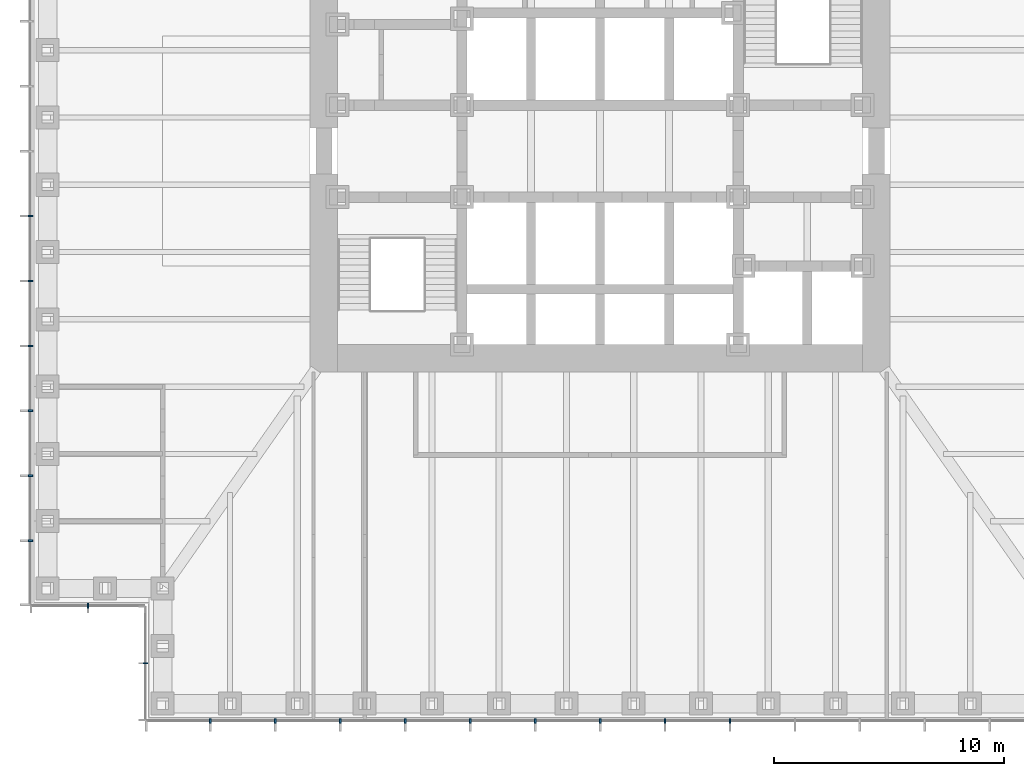
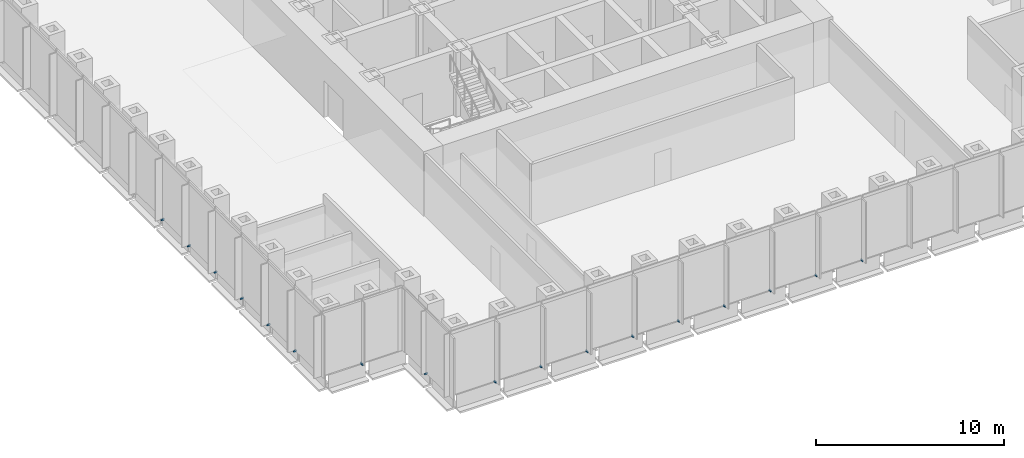
# One storey, part 11 of 16: 17 discrete accessories.
"""IFC4 building model written with IfcOpenShell, lengths in metres."""

from ifc_helpers import new_model, si_unit, direction, frame, origin, origin_2d, place, context, subcontext, project, spatial, rectangle, extrude, element, save


model = new_model("IFC4")

# Units and contexts
model_context = context("Model", 3, precision=1e-05, world=origin(), true_north=direction((0.0, 1.0)))
body_context = subcontext(model_context, "Body", "Model", "MODEL_VIEW")
ifc_project = project(units=[si_unit("LENGTHUNIT", "METRE"), si_unit("AREAUNIT", "SQUARE_METRE"), si_unit("VOLUMEUNIT", "CUBIC_METRE"), si_unit("PLANEANGLEUNIT", "RADIAN"), si_unit("MASSUNIT", "GRAM", prefix="KILO")], contexts=[model_context])

# Site, building, storey
site_placement = place(None, origin())
site = spatial("IfcSite", under=ifc_project, at=site_placement, CompositionType="ELEMENT")
building_placement = place(site_placement, origin())
building = spatial("IfcBuilding", under=site, at=building_placement, Name="Daluyong Arena Tower", CompositionType="ELEMENT")
storey_placement = place(building_placement, frame((0.0, 0.0, 51.699951171875)))
storey = spatial("IfcBuildingStorey", under=building, at=storey_placement, Name="L10", CompositionType="ELEMENT", Elevation=51.699951171875)

# Discrete accessories
for number, where, z_axis, x_axis, name in (
    (1, (39.071533203125, 55.25, -0.10009765625), (0.0, 0.0, 1.0), (1.0, 0.0, 0.0), "curtain wall L10 S anchor bracket 2"),
    (2, (41.892822265625, 55.25, -0.10009765625), (0.0, 0.0, 1.0), (1.0, 0.0, 0.0), "curtain wall L10 S anchor bracket 3"),
    (3, (44.71435546875, 55.25, -0.10009765625), (0.0, 0.0, 1.0), (1.0, 0.0, 0.0), "curtain wall L10 S anchor bracket 4"),
    (4, (47.53564453125, 55.25, -0.10009765625), (0.0, 0.0, 1.0), (1.0, 0.0, 0.0), "curtain wall L10 S anchor bracket 5"),
    (5, (50.357177734375, 55.25, -0.10009765625), (0.0, 0.0, 1.0), (1.0, 0.0, 0.0), "curtain wall L10 S anchor bracket 6"),
    (6, (53.178466796875, 55.25, -0.10009765625), (0.0, 0.0, 1.0), (1.0, 0.0, 0.0), "curtain wall L10 S anchor bracket 7"),
    (7, (56.0, 55.25, -0.10009765625), (0.0, 0.0, 1.0), (1.0, 0.0, 0.0), "curtain wall L10 S anchor bracket 8"),
    (8, (58.821533203125, 55.25, -0.10009765625), (0.0, 0.0, 1.0), (1.0, 0.0, 0.0), "curtain wall L10 S anchor bracket 9"),
    (9, (61.642822265625, 55.25, -0.10009765625), (0.0, 0.0, 1.0), (1.0, 0.0, 0.0), "curtain wall L10 S anchor bracket 10"),
    (10, (31.25, 77.178466796875, -0.10009765625), (0.0, 0.0, 1.0), (0.0, -1.0, 0.0), "curtain wall L10 W anchor bracket 9"),
    (11, (31.25, 74.357177734375, -0.10009765625), (0.0, 0.0, 1.0), (0.0, -1.0, 0.0), "curtain wall L10 W anchor bracket 10"),
    (12, (31.25, 71.53564453125, -0.10009765625), (0.0, 0.0, 1.0), (0.0, -1.0, 0.0), "curtain wall L10 W anchor bracket 11"),
    (13, (31.25, 68.71435546875, -0.10009765625), (0.0, 0.0, 1.0), (0.0, -1.0, 0.0), "curtain wall L10 W anchor bracket 12"),
    (14, (31.25, 65.892822265625, -0.10009765625), (0.0, 0.0, 1.0), (0.0, -1.0, 0.0), "curtain wall L10 W anchor bracket 13"),
    (15, (31.25, 63.071533203125, -0.10009765625), (0.0, 0.0, 1.0), (0.0, -1.0, 0.0), "curtain wall L10 W anchor bracket 14"),
):
    element("IfcDiscreteAccessory", number, at=place(storey_placement, frame(where, z_axis=z_axis, x_axis=x_axis)), inside=storey, Name=name, PredefinedType="BRACKET", context=body_context, shape_type="SweptSolid", body=[
        extrude(rectangle(XDim=0.080078125, YDim=0.199951171875, at=origin_2d()), origin(), (0.0, 0.0, 1.0), 0.10009765625),
    ])
for number, where, z_axis, x_axis, name in (
    (16, (33.75, 60.25, -0.10009765625), (0.0, 0.0, 1.0), (1.0, 0.0, 0.0), "curtain wall L10 SW-S anchor bracket 2"),
    (17, (36.25, 57.75, -0.10009765625), (0.0, 0.0, 1.0), (0.0, -1.0, 0.0), "curtain wall L10 SW-W anchor bracket 2"),
):
    element("IfcDiscreteAccessory", number, at=place(storey_placement, frame(where, z_axis=z_axis, x_axis=x_axis)), inside=storey, Name=name, PredefinedType="BRACKET", context=body_context, shape_type="SweptSolid", body=[
        extrude(rectangle(XDim=0.06005859375, YDim=0.199951171875, at=origin_2d()), origin(), (0.0, 0.0, 1.0), 0.10009765625),
    ])

save(model, "model.ifc")
